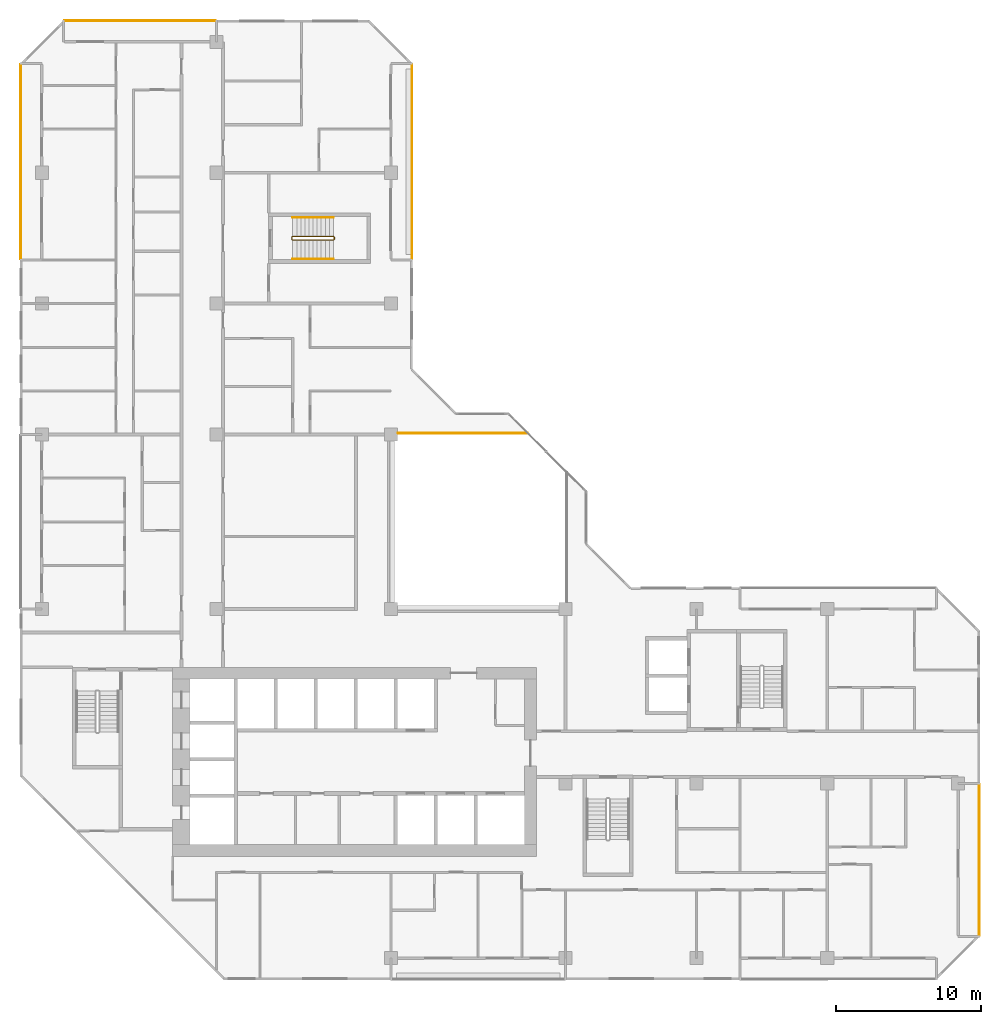
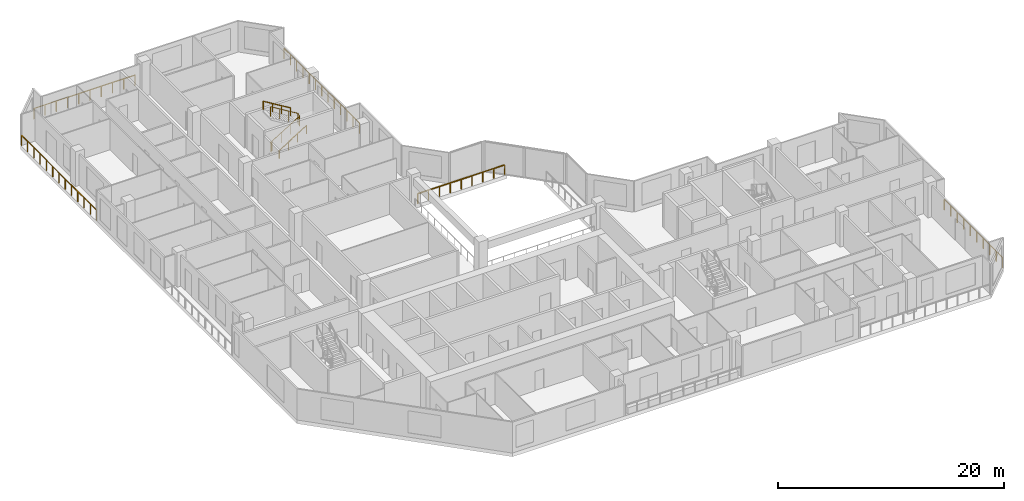
# One storey, part 14 of 14: 8 railings.
"""IFC4 building model written with IfcOpenShell, lengths in metres."""

from ifc_helpers import new_model, si_unit, direction, frame, origin, origin_2d, place, context, subcontext, project, spatial, rectangle, extrude, material, type_object, element, save


model = new_model("IFC4")

# Units and contexts
model_context = context("Model", 3, precision=1e-05, world=origin(), true_north=direction((0.0, 1.0)))
body_context = subcontext(model_context, "Body", "Model", "MODEL_VIEW")
ifc_project = project(units=[si_unit("LENGTHUNIT", "METRE"), si_unit("AREAUNIT", "SQUARE_METRE"), si_unit("VOLUMEUNIT", "CUBIC_METRE"), si_unit("PLANEANGLEUNIT", "RADIAN"), si_unit("MASSUNIT", "GRAM", prefix="KILO")], contexts=[model_context])

# Site, building, storey
site_placement = place(None, origin())
site = spatial("IfcSite", under=ifc_project, at=site_placement, CompositionType="ELEMENT")
building_placement = place(site_placement, origin())
building = spatial("IfcBuilding", under=site, at=building_placement, Name="Chenar Terraces", CompositionType="ELEMENT")
storey_placement = place(building_placement, frame((0.0, 0.0, 161.14990234375)))
storey = spatial("IfcBuildingStorey", under=building, at=storey_placement, Name="L36", CompositionType="ELEMENT", Elevation=161.14990234375)

# Railings
ifc_material_1 = material(Name="Powder-coated steel", Category="steel")
railing_type_1 = type_object("IfcRailingType", Name="Guard 1100 steel rail with glass infill", PredefinedType="GUARDRAIL", material=ifc_material_1)
railing_1_placement = place(storey_placement, frame((24.5, 36.10009765625, 0.0)))
element("IfcRailing", 1, at=railing_1_placement, inside=storey, type_object=railing_type_1, Name="Guard L36-2", PredefinedType="GUARDRAIL", context=body_context, shape_type="SweptSolid", body=[
    extrude(rectangle(XDim=0.06005859375, YDim=0.06005859375, at=origin_2d()), frame((0.0, 0.0, 1.070068359375), z_axis=(1.0, 0.0, 0.0), x_axis=(0.0, 1.0, 0.0)), (0.0, 0.0, 1.0), 8.89990234375),
    extrude(rectangle(XDim=0.050048828125, YDim=0.050048828125, at=origin_2d()), origin(), (0.0, 0.0, 1.0), 1.0400390625),
    extrude(rectangle(XDim=0.050048828125, YDim=0.050048828125, at=origin_2d()), frame((1.112548828125, 0.0, 0.0)), (0.0, 0.0, 1.0), 1.0400390625),
    extrude(rectangle(XDim=0.050048828125, YDim=0.050048828125, at=origin_2d()), frame((2.22509765625, 0.0, 0.0)), (0.0, 0.0, 1.0), 1.0400390625),
    extrude(rectangle(XDim=0.050048828125, YDim=0.050048828125, at=origin_2d()), frame((3.33740234375, 0.0, 0.0)), (0.0, 0.0, 1.0), 1.0400390625),
    extrude(rectangle(XDim=0.050048828125, YDim=0.050048828125, at=origin_2d()), frame((4.449951171875, 0.0, 0.0)), (0.0, 0.0, 1.0), 1.0400390625),
    extrude(rectangle(XDim=0.050048828125, YDim=0.050048828125, at=origin_2d()), frame((5.5625, 0.0, 0.0)), (0.0, 0.0, 1.0), 1.0400390625),
    extrude(rectangle(XDim=0.050048828125, YDim=0.050048828125, at=origin_2d()), frame((6.6748046875, 0.0, 0.0)), (0.0, 0.0, 1.0), 1.0400390625),
    extrude(rectangle(XDim=0.050048828125, YDim=0.050048828125, at=origin_2d()), frame((7.787353515625, 0.0, 0.0)), (0.0, 0.0, 1.0), 1.0400390625),
    extrude(rectangle(XDim=0.050048828125, YDim=0.050048828125, at=origin_2d()), frame((8.89990234375, 0.0, 0.0)), (0.0, 0.0, 1.0), 1.0400390625),
])
ifc_material_2 = material(Name="Stainless steel and glass", Category="steel")
railing_type_2 = type_object("IfcRailingType", Name="Loggia guard 1150", PredefinedType="GUARDRAIL", material=ifc_material_2)
railing_2_placement = place(storey_placement, frame((25.449951171875, 48.074951171875, 0.0)))
element("IfcRailing", 2, at=railing_2_placement, inside=storey, type_object=railing_type_2, Name="Loggia guard", PredefinedType="GUARDRAIL", context=body_context, shape_type="SweptSolid", body=[
    extrude(rectangle(XDim=0.048095703125, YDim=0.048095703125, at=origin_2d()), frame((0.0, 0.0, 1.1259765625), z_axis=(0.0, 1.0, 0.0), x_axis=(-1.0, 0.0, 0.0)), (0.0, 0.0, 1.0), 13.35009765625),
    extrude(rectangle(XDim=0.0419921875, YDim=0.0419921875, at=origin_2d()), origin(), (0.0, 0.0, 1.0), 1.101806640625),
    extrude(rectangle(XDim=0.0419921875, YDim=0.0419921875, at=origin_2d()), frame((0.0, 1.112548828125, 0.0)), (0.0, 0.0, 1.0), 1.101806640625),
    extrude(rectangle(XDim=0.0419921875, YDim=0.0419921875, at=origin_2d()), frame((0.0, 2.22509765625, 0.0)), (0.0, 0.0, 1.0), 1.101806640625),
    extrude(rectangle(XDim=0.0419921875, YDim=0.0419921875, at=origin_2d()), frame((0.0, 3.33740234375, 0.0)), (0.0, 0.0, 1.0), 1.101806640625),
    extrude(rectangle(XDim=0.0419921875, YDim=0.0419921875, at=origin_2d()), frame((0.0, 4.449951171875, 0.0)), (0.0, 0.0, 1.0), 1.101806640625),
    extrude(rectangle(XDim=0.0419921875, YDim=0.0419921875, at=origin_2d()), frame((0.0, 5.5625, 0.0)), (0.0, 0.0, 1.0), 1.101806640625),
    extrude(rectangle(XDim=0.0419921875, YDim=0.0419921875, at=origin_2d()), frame((0.0, 6.675048828125, 0.0)), (0.0, 0.0, 1.0), 1.101806640625),
    extrude(rectangle(XDim=0.0419921875, YDim=0.0419921875, at=origin_2d()), frame((0.0, 7.78759765625, 0.0)), (0.0, 0.0, 1.0), 1.101806640625),
    extrude(rectangle(XDim=0.0419921875, YDim=0.0419921875, at=origin_2d()), frame((0.0, 8.900146484375, 0.0)), (0.0, 0.0, 1.0), 1.101806640625),
    extrude(rectangle(XDim=0.0419921875, YDim=0.0419921875, at=origin_2d()), frame((0.0, 10.0126953125, 0.0)), (0.0, 0.0, 1.0), 1.101806640625),
    extrude(rectangle(XDim=0.0419921875, YDim=0.0419921875, at=origin_2d()), frame((0.0, 11.125, 0.0)), (0.0, 0.0, 1.0), 1.101806640625),
    extrude(rectangle(XDim=0.0419921875, YDim=0.0419921875, at=origin_2d()), frame((0.0, 12.237548828125, 0.0)), (0.0, 0.0, 1.0), 1.101806640625),
    extrude(rectangle(XDim=0.0419921875, YDim=0.0419921875, at=origin_2d()), frame((0.0, 13.35009765625, 0.0)), (0.0, 0.0, 1.0), 1.101806640625),
])
railing_3_placement = place(storey_placement, frame((64.449951171875, 1.574951171875, 0.0)))
element("IfcRailing", 3, at=railing_3_placement, inside=storey, type_object=railing_type_2, Name="Loggia guard", PredefinedType="GUARDRAIL", context=body_context, shape_type="SweptSolid", body=[
    extrude(rectangle(XDim=0.048095703125, YDim=0.048095703125, at=origin_2d()), frame((0.0, 0.0, 1.1259765625), z_axis=(0.0, 1.0, 0.0), x_axis=(-1.0, 0.0, 0.0)), (0.0, 0.0, 1.0), 10.35009765625),
    extrude(rectangle(XDim=0.0419921875, YDim=0.0419921875, at=origin_2d()), origin(), (0.0, 0.0, 1.0), 1.101806640625),
    extrude(rectangle(XDim=0.0419921875, YDim=0.0419921875, at=origin_2d()), frame((0.0, 1.14990234375, 0.0)), (0.0, 0.0, 1.0), 1.101806640625),
    extrude(rectangle(XDim=0.0419921875, YDim=0.0419921875, at=origin_2d()), frame((0.0, 2.300048828125, 0.0)), (0.0, 0.0, 1.0), 1.101806640625),
    extrude(rectangle(XDim=0.0419921875, YDim=0.0419921875, at=origin_2d()), frame((0.0, 3.449951171875, 0.0)), (0.0, 0.0, 1.0), 1.101806640625),
    extrude(rectangle(XDim=0.0419921875, YDim=0.0419921875, at=origin_2d()), frame((0.0, 4.60009765625, 0.0)), (0.0, 0.0, 1.0), 1.101806640625),
    extrude(rectangle(XDim=0.0419921875, YDim=0.0419921875, at=origin_2d()), frame((0.0, 5.75, 0.0)), (0.0, 0.0, 1.0), 1.101806640625),
    extrude(rectangle(XDim=0.0419921875, YDim=0.0419921875, at=origin_2d()), frame((0.0, 6.900146484375, 0.0)), (0.0, 0.0, 1.0), 1.101806640625),
    extrude(rectangle(XDim=0.0419921875, YDim=0.0419921875, at=origin_2d()), frame((0.0, 8.050048828125, 0.0)), (0.0, 0.0, 1.0), 1.101806640625),
    extrude(rectangle(XDim=0.0419921875, YDim=0.0419921875, at=origin_2d()), frame((0.0, 9.2001953125, 0.0)), (0.0, 0.0, 1.0), 1.101806640625),
    extrude(rectangle(XDim=0.0419921875, YDim=0.0419921875, at=origin_2d()), frame((0.0, 10.35009765625, 0.0)), (0.0, 0.0, 1.0), 1.101806640625),
])
railing_4_placement = place(storey_placement, frame((11.925048828125, 64.449951171875, 0.0)))
element("IfcRailing", 4, at=railing_4_placement, inside=storey, type_object=railing_type_2, Name="Loggia guard", PredefinedType="GUARDRAIL", context=body_context, shape_type="SweptSolid", body=[
    extrude(rectangle(XDim=0.048095703125, YDim=0.048095703125, at=origin_2d()), frame((0.0, 0.0, 1.1259765625), z_axis=(-1.0, 0.0, 0.0), x_axis=(0.0, -1.0, 0.0)), (0.0, 0.0, 1.0), 10.35009765625),
    extrude(rectangle(XDim=0.0419921875, YDim=0.0419921875, at=origin_2d()), origin(), (0.0, 0.0, 1.0), 1.101806640625),
    extrude(rectangle(XDim=0.0419921875, YDim=0.0419921875, at=origin_2d()), frame((-1.14990234375, 0.0, 0.0)), (0.0, 0.0, 1.0), 1.101806640625),
    extrude(rectangle(XDim=0.0419921875, YDim=0.0419921875, at=origin_2d()), frame((-2.300048828125, 0.0, 0.0)), (0.0, 0.0, 1.0), 1.101806640625),
    extrude(rectangle(XDim=0.0419921875, YDim=0.0419921875, at=origin_2d()), frame((-3.449951171875, 0.0, 0.0)), (0.0, 0.0, 1.0), 1.101806640625),
    extrude(rectangle(XDim=0.0419921875, YDim=0.0419921875, at=origin_2d()), frame((-4.60009765625, 0.0, 0.0)), (0.0, 0.0, 1.0), 1.101806640625),
    extrude(rectangle(XDim=0.0419921875, YDim=0.0419921875, at=origin_2d()), frame((-5.75, 0.0, 0.0)), (0.0, 0.0, 1.0), 1.101806640625),
    extrude(rectangle(XDim=0.0419921875, YDim=0.0419921875, at=origin_2d()), frame((-6.900146484375, 0.0, 0.0)), (0.0, 0.0, 1.0), 1.101806640625),
    extrude(rectangle(XDim=0.0419921875, YDim=0.0419921875, at=origin_2d()), frame((-8.050048828125, 0.0, 0.0)), (0.0, 0.0, 1.0), 1.101806640625),
    extrude(rectangle(XDim=0.0419921875, YDim=0.0419921875, at=origin_2d()), frame((-9.2001953125, 0.0, 0.0)), (0.0, 0.0, 1.0), 1.101806640625),
    extrude(rectangle(XDim=0.0419921875, YDim=0.0419921875, at=origin_2d()), frame((-10.35009765625, 0.0, 0.0)), (0.0, 0.0, 1.0), 1.101806640625),
])
railing_5_placement = place(storey_placement, frame((-1.449951171875, 61.425048828125, 0.0)))
element("IfcRailing", 5, at=railing_5_placement, inside=storey, type_object=railing_type_2, Name="Loggia guard", PredefinedType="GUARDRAIL", context=body_context, shape_type="SweptSolid", body=[
    extrude(rectangle(XDim=0.048095703125, YDim=0.048095703125, at=origin_2d()), frame((0.0, 0.0, 1.1259765625), z_axis=(0.0, -1.0, 0.0), x_axis=(1.0, 0.0, 0.0)), (0.0, 0.0, 1.0), 13.35009765625),
    extrude(rectangle(XDim=0.0419921875, YDim=0.0419921875, at=origin_2d()), origin(), (0.0, 0.0, 1.0), 1.101806640625),
    extrude(rectangle(XDim=0.0419921875, YDim=0.0419921875, at=origin_2d()), frame((0.0, -1.112548828125, 0.0)), (0.0, 0.0, 1.0), 1.101806640625),
    extrude(rectangle(XDim=0.0419921875, YDim=0.0419921875, at=origin_2d()), frame((0.0, -2.22509765625, 0.0)), (0.0, 0.0, 1.0), 1.101806640625),
    extrude(rectangle(XDim=0.0419921875, YDim=0.0419921875, at=origin_2d()), frame((0.0, -3.33740234375, 0.0)), (0.0, 0.0, 1.0), 1.101806640625),
    extrude(rectangle(XDim=0.0419921875, YDim=0.0419921875, at=origin_2d()), frame((0.0, -4.449951171875, 0.0)), (0.0, 0.0, 1.0), 1.101806640625),
    extrude(rectangle(XDim=0.0419921875, YDim=0.0419921875, at=origin_2d()), frame((0.0, -5.5625, 0.0)), (0.0, 0.0, 1.0), 1.101806640625),
    extrude(rectangle(XDim=0.0419921875, YDim=0.0419921875, at=origin_2d()), frame((0.0, -6.675048828125, 0.0)), (0.0, 0.0, 1.0), 1.101806640625),
    extrude(rectangle(XDim=0.0419921875, YDim=0.0419921875, at=origin_2d()), frame((0.0, -7.78759765625, 0.0)), (0.0, 0.0, 1.0), 1.101806640625),
    extrude(rectangle(XDim=0.0419921875, YDim=0.0419921875, at=origin_2d()), frame((0.0, -8.900146484375, 0.0)), (0.0, 0.0, 1.0), 1.101806640625),
    extrude(rectangle(XDim=0.0419921875, YDim=0.0419921875, at=origin_2d()), frame((0.0, -10.0126953125, 0.0)), (0.0, 0.0, 1.0), 1.101806640625),
    extrude(rectangle(XDim=0.0419921875, YDim=0.0419921875, at=origin_2d()), frame((0.0, -11.125, 0.0)), (0.0, 0.0, 1.0), 1.101806640625),
    extrude(rectangle(XDim=0.0419921875, YDim=0.0419921875, at=origin_2d()), frame((0.0, -12.237548828125, 0.0)), (0.0, 0.0, 1.0), 1.101806640625),
    extrude(rectangle(XDim=0.0419921875, YDim=0.0419921875, at=origin_2d()), frame((0.0, -13.35009765625, 0.0)), (0.0, 0.0, 1.0), 1.101806640625),
])
ifc_material_3 = material(Name="Powder-coated steel", Category="steel")
railing_type_3 = type_object("IfcRailingType", Name="Stair guard 1100", PredefinedType="GUARDRAIL", material=ifc_material_3)
railing_6_placement = place(storey_placement, frame((17.25, 49.625, 3.75)))
element("IfcRailing", 6, at=railing_6_placement, inside=storey, type_object=railing_type_3, Name="L36 ST4 stair guard 1", PredefinedType="GUARDRAIL", context=body_context, shape_type="SweptSolid", body=[
    extrude(rectangle(XDim=0.048095703125, YDim=0.048095703125, at=origin_2d()), frame((0.0, 0.0, 1.076171875), z_axis=(0.854202870247, 0.0, -0.519939858505), x_axis=(0.0, 1.0, 0.0)), (0.0, 0.0, 1.0), 3.278076171875),
    extrude(rectangle(XDim=0.048095703125, YDim=0.048095703125, at=origin_2d()), frame((2.800048828125, 0.0, -0.62841796875), z_axis=(0.270899902878, -0.270899902878, -0.923702595667), x_axis=(0.707106781187, 0.707106781187, 0.0)), (0.0, 0.0, 1.0), 0.184814453125),
    extrude(rectangle(XDim=0.048095703125, YDim=0.048095703125, at=origin_2d()), frame((2.85009765625, -0.050048828125, -0.798828125), z_axis=(0.0, -1.0, 0.0), x_axis=(1.0, 0.0, 0.0)), (0.0, 0.0, 1.0), 0.14990234375),
    extrude(rectangle(XDim=0.048095703125, YDim=0.048095703125, at=origin_2d()), frame((2.85009765625, -0.199951171875, -0.798828125), z_axis=(-0.707106781187, -0.707106781187, 0.0), x_axis=(0.707106781187, -0.707106781187, 0.0)), (0.0, 0.0, 1.0), 0.07080078125),
    extrude(rectangle(XDim=0.048095703125, YDim=0.048095703125, at=origin_2d()), frame((2.800048828125, -0.25, -0.798828125), z_axis=(-0.854202870247, 0.0, -0.519939858505), x_axis=(0.0, -1.0, 0.0)), (0.0, 0.0, 1.0), 3.278076171875),
    extrude(rectangle(XDim=0.048095703125, YDim=0.048095703125, at=origin_2d()), frame((0.0, -0.25, -2.50341796875), z_axis=(-0.270899902878, 0.270899902878, -0.923702595667), x_axis=(-0.707106781187, -0.707106781187, 0.0)), (0.0, 0.0, 1.0), 0.184814453125),
    extrude(rectangle(XDim=0.048095703125, YDim=0.048095703125, at=origin_2d()), frame((-0.050048828125, -0.199951171875, -2.673828125), z_axis=(0.0, 1.0, 0.0), x_axis=(-1.0, 0.0, 0.0)), (0.0, 0.0, 1.0), 0.14990234375),
    extrude(rectangle(XDim=0.0419921875, YDim=0.0419921875, at=origin_2d()), origin(), (0.0, 0.0, 1.0), 1.052001953125),
    extrude(rectangle(XDim=0.0419921875, YDim=0.0419921875, at=origin_2d()), frame((0.933349609375, 0.0, -0.568115234375)), (0.0, 0.0, 1.0), 1.052001953125),
    extrude(rectangle(XDim=0.0419921875, YDim=0.0419921875, at=origin_2d()), frame((1.86669921875, 0.0, -1.13623046875)), (0.0, 0.0, 1.0), 1.052001953125),
    extrude(rectangle(XDim=0.0419921875, YDim=0.0419921875, at=origin_2d()), frame((2.800048828125, 0.0, -1.704345703125)), (0.0, 0.0, 1.0), 1.052001953125),
    extrude(rectangle(XDim=0.0419921875, YDim=0.0419921875, at=origin_2d()), frame((2.85009765625, -0.050048828125, -1.875)), (0.0, 0.0, 1.0), 1.052001953125),
    extrude(rectangle(XDim=0.0419921875, YDim=0.0419921875, at=origin_2d()), frame((2.85009765625, -0.199951171875, -1.875)), (0.0, 0.0, 1.0), 1.052001953125),
    extrude(rectangle(XDim=0.0419921875, YDim=0.0419921875, at=origin_2d()), frame((2.800048828125, -0.25, -1.875)), (0.0, 0.0, 1.0), 1.052001953125),
    extrude(rectangle(XDim=0.0419921875, YDim=0.0419921875, at=origin_2d()), frame((1.86669921875, -0.25, -2.443115234375)), (0.0, 0.0, 1.0), 1.052001953125),
    extrude(rectangle(XDim=0.0419921875, YDim=0.0419921875, at=origin_2d()), frame((0.933349609375, -0.25, -3.01123046875)), (0.0, 0.0, 1.0), 1.052001953125),
    extrude(rectangle(XDim=0.0419921875, YDim=0.0419921875, at=origin_2d()), frame((0.0, -0.25, -3.579345703125)), (0.0, 0.0, 1.0), 1.052001953125),
    extrude(rectangle(XDim=0.0419921875, YDim=0.0419921875, at=origin_2d()), frame((-0.050048828125, -0.199951171875, -3.75)), (0.0, 0.0, 1.0), 1.052001953125),
    extrude(rectangle(XDim=0.0419921875, YDim=0.0419921875, at=origin_2d()), frame((-0.050048828125, -0.050048828125, -3.75)), (0.0, 0.0, 1.0), 1.052001953125),
])
ifc_material_4 = material(Name="Powder-coated steel", Category="steel")
railing_type_4 = type_object("IfcRailingType", Name="Stair handrail 900", PredefinedType="HANDRAIL", material=ifc_material_4)
railing_7_placement = place(storey_placement, frame((17.25, 48.074951171875, 0.170654296875)))
element("IfcRailing", 7, at=railing_7_placement, inside=storey, type_object=railing_type_4, Name="L36 ST4 stair handrail 1", PredefinedType="HANDRAIL", context=body_context, shape_type="SweptSolid", body=[
    extrude(rectangle(XDim=0.048095703125, YDim=0.048095703125, at=origin_2d()), frame((0.0, 0.0, 0.8759765625), z_axis=(0.854202870247, 0.0, 0.519939858505), x_axis=(0.0, 1.0, 0.0)), (0.0, 0.0, 1.0), 3.278076171875),
    extrude(rectangle(XDim=0.0419921875, YDim=0.0419921875, at=origin_2d()), origin(), (0.0, 0.0, 1.0), 0.851806640625),
    extrude(rectangle(XDim=0.0419921875, YDim=0.0419921875, at=origin_2d()), frame((0.933349609375, 0.0, 0.568115234375)), (0.0, 0.0, 1.0), 0.851806640625),
    extrude(rectangle(XDim=0.0419921875, YDim=0.0419921875, at=origin_2d()), frame((1.86669921875, 0.0, 1.13623046875)), (0.0, 0.0, 1.0), 0.851806640625),
    extrude(rectangle(XDim=0.0419921875, YDim=0.0419921875, at=origin_2d()), frame((2.800048828125, 0.0, 1.704345703125)), (0.0, 0.0, 1.0), 0.851806640625),
])
railing_8_placement = place(storey_placement, frame((20.050048828125, 50.925048828125, 2.045654296875)))
element("IfcRailing", 8, at=railing_8_placement, inside=storey, type_object=railing_type_4, Name="L36 ST4 stair handrail 2", PredefinedType="HANDRAIL", context=body_context, shape_type="SweptSolid", body=[
    extrude(rectangle(XDim=0.048095703125, YDim=0.048095703125, at=origin_2d()), frame((0.0, 0.0, 0.8759765625), z_axis=(-0.854202870247, 0.0, 0.519939858505), x_axis=(0.0, -1.0, 0.0)), (0.0, 0.0, 1.0), 3.278076171875),
    extrude(rectangle(XDim=0.0419921875, YDim=0.0419921875, at=origin_2d()), origin(), (0.0, 0.0, 1.0), 0.851806640625),
    extrude(rectangle(XDim=0.0419921875, YDim=0.0419921875, at=origin_2d()), frame((-0.933349609375, 0.0, 0.568115234375)), (0.0, 0.0, 1.0), 0.851806640625),
    extrude(rectangle(XDim=0.0419921875, YDim=0.0419921875, at=origin_2d()), frame((-1.86669921875, 0.0, 1.13623046875)), (0.0, 0.0, 1.0), 0.851806640625),
    extrude(rectangle(XDim=0.0419921875, YDim=0.0419921875, at=origin_2d()), frame((-2.800048828125, 0.0, 1.704345703125)), (0.0, 0.0, 1.0), 0.851806640625),
])

save(model, "model.ifc")
